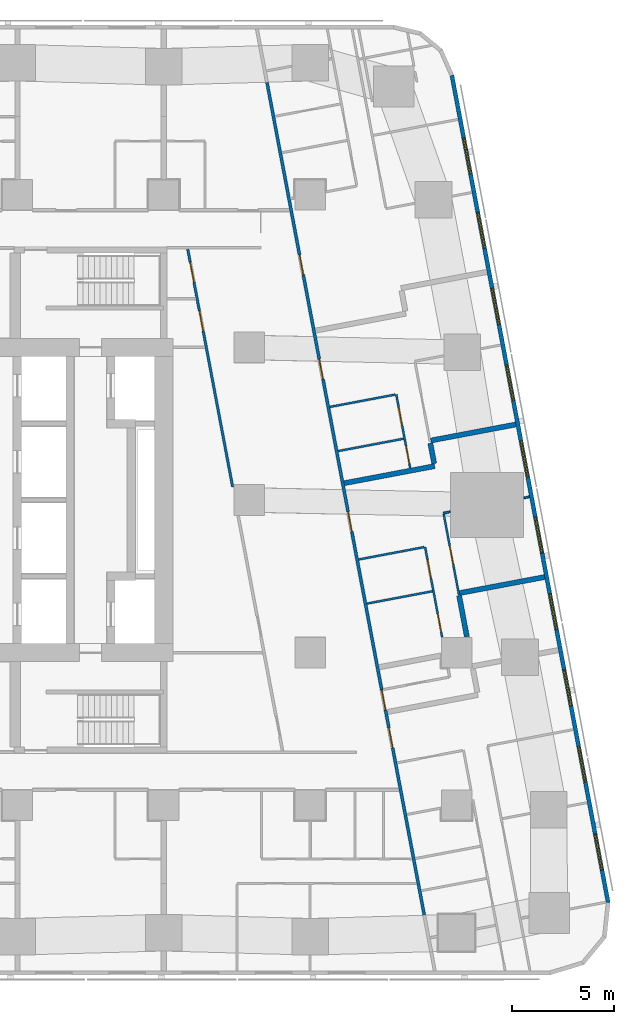
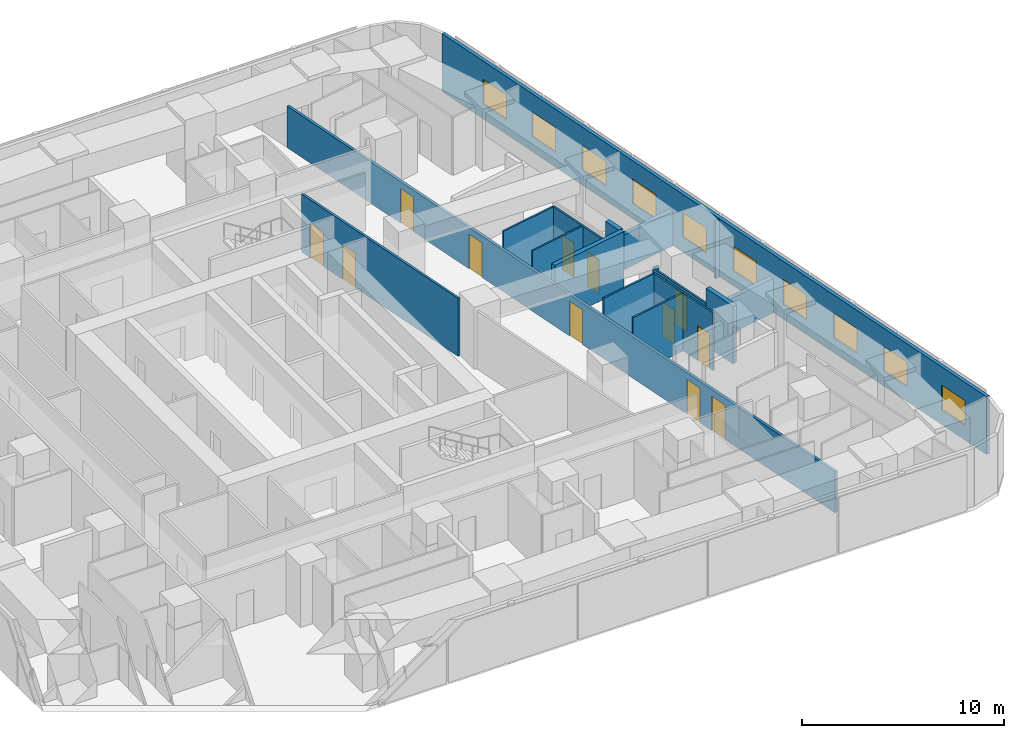
# One storey, part 7 of 15: 17 walls, 12 doors, 10 windows, 22 openings.
"""IFC4 building model written with IfcOpenShell, lengths in metres."""

from ifc_helpers import new_model, si_unit, direction, frame, frame_2d, origin, place, context, subcontext, project, spatial, rectangle, extrude, material, layer, layer_set, type_object, element, fill, save


model = new_model("IFC4")

# Units and contexts
model_context = context("Model", 3, precision=1e-05, world=origin(), true_north=direction((0.0, 1.0)))
body_context = subcontext(model_context, "Body", "Model", "MODEL_VIEW")
ifc_project = project(units=[si_unit("LENGTHUNIT", "METRE"), si_unit("AREAUNIT", "SQUARE_METRE"), si_unit("VOLUMEUNIT", "CUBIC_METRE"), si_unit("PLANEANGLEUNIT", "RADIAN"), si_unit("MASSUNIT", "GRAM", prefix="KILO")], contexts=[model_context])

# Site, building, storey
site_placement = place(None, origin())
site = spatial("IfcSite", under=ifc_project, at=site_placement, CompositionType="ELEMENT")
building_placement = place(site_placement, origin())
building = spatial("IfcBuilding", under=site, at=building_placement, Name="Sheger Commons Tower", CompositionType="ELEMENT")
storey_placement = place(building_placement, frame((0.0, 0.0, 169.550048828125)))
storey = spatial("IfcBuildingStorey", under=building, at=storey_placement, Name="L43", CompositionType="ELEMENT", Elevation=169.550048828125)

# Wall, openings, doors
ifc_material_1 = material(Name="Hollow concrete block masonry, skimmed both sides", Category="masonry")
ifc_layer_1 = layer(ifc_material_1, 0.14990234375)
ifc_layer_set_1 = layer_set([ifc_layer_1], Name="CORRIDOR WALL 150")
wall_type_1 = type_object("IfcWallType", Name="CORRIDOR WALL 150", PredefinedType="SOLIDWALL", material=ifc_layer_set_1)
wall_1_placement = place(storey_placement, frame((33.876953125, 43.029052734375, 0.0), z_axis=(0.0, 0.0, 1.0), x_axis=(0.185596841028, -0.98262597798, 0.0)))
wall_1 = element("IfcWall", 1, at=wall_1_placement, inside=storey, type_object=wall_type_1, Name="Corridor wall L43", PredefinedType="SOLIDWALL", context=body_context, shape_type="SweptSolid", body=[
    extrude(rectangle(XDim=41.659912109375, YDim=0.14990234375, at=frame_2d((20.830078125, 0.0))), origin(), (0.0, 0.0, 1.0), 2.5),
])
opening_1_placement = place(wall_1_placement, frame((8.6298828125, 0.0, 0.0)))
opening_1 = element("IfcOpeningElement", 2, at=opening_1_placement, cuts=wall_1, Name="Opening D1", PredefinedType="OPENING", context=body_context, shape_type="SweptSolid", body=[
    extrude(rectangle(XDim=1.0, YDim=2.10009765625, at=frame_2d((0.5, 1.050048828125))), frame((0.0, 0.0849609375, 0.0), z_axis=(0.0, -1.0, 0.0), x_axis=(1.0, 0.0, 0.0)), (0.0, 0.0, 1.0), 0.169921875),
])
opening_2_placement = place(wall_1_placement, frame((13.841064453125, 0.0, 0.0)))
opening_2 = element("IfcOpeningElement", 3, at=opening_2_placement, cuts=wall_1, Name="Opening D1", PredefinedType="OPENING", context=body_context, shape_type="SweptSolid", body=[
    extrude(rectangle(XDim=1.0, YDim=2.10009765625, at=frame_2d((0.5, 1.050048828125))), frame((0.0, 0.0849609375, 0.0), z_axis=(0.0, -1.0, 0.0), x_axis=(1.0, 0.0, 0.0)), (0.0, 0.0, 1.0), 0.169921875),
])
opening_3_placement = place(wall_1_placement, frame((21.47412109375, 0.0, 0.0)))
opening_3 = element("IfcOpeningElement", 4, at=opening_3_placement, cuts=wall_1, Name="Opening D1", PredefinedType="OPENING", context=body_context, shape_type="SweptSolid", body=[
    extrude(rectangle(XDim=1.0, YDim=2.10009765625, at=frame_2d((0.5, 1.050048828125))), frame((0.0, 0.0849609375, 0.0), z_axis=(0.0, -1.0, 0.0), x_axis=(1.0, 0.0, 0.0)), (0.0, 0.0, 1.0), 0.169921875),
])
opening_4_placement = place(wall_1_placement, frame((30.39990234375, 0.0, 0.0)))
opening_4 = element("IfcOpeningElement", 5, at=opening_4_placement, cuts=wall_1, Name="Opening D1", PredefinedType="OPENING", context=body_context, shape_type="SweptSolid", body=[
    extrude(rectangle(XDim=1.0, YDim=2.10009765625, at=frame_2d((0.5, 1.050048828125))), frame((0.0, 0.0849609375, 0.0), z_axis=(0.0, -1.0, 0.0), x_axis=(1.0, 0.0, 0.0)), (0.0, 0.0, 1.0), 0.169921875),
])
opening_5_placement = place(wall_1_placement, frame((32.2880859375, 0.0, 0.0)))
opening_5 = element("IfcOpeningElement", 6, at=opening_5_placement, cuts=wall_1, Name="Opening D1", PredefinedType="OPENING", context=body_context, shape_type="SweptSolid", body=[
    extrude(rectangle(XDim=1.0, YDim=2.10009765625, at=frame_2d((0.5, 1.050048828125))), frame((0.0, 0.0849609375, 0.0), z_axis=(0.0, -1.0, 0.0), x_axis=(1.0, 0.0, 0.0)), (0.0, 0.0, 1.0), 0.169921875),
])
ifc_material_2 = material(Name="Steel door set, fire rated", Category="steel")
door_type_1 = type_object("IfcDoorType", Name="FLAT ENTRANCE DOOR 1000x2100", OperationType="NOTDEFINED", PredefinedType="DOOR", material=ifc_material_2)
door_1_placement = place(opening_1_placement, origin())
door_1 = element("IfcDoor", 7, at=door_1_placement, inside=storey, type_object=door_type_1, Name="Flat entrance door", OperationType="SINGLE_SWING_RIGHT", OverallHeight=2.10009765625, OverallWidth=1.0, PredefinedType="DOOR", context=body_context, shape_type="SweptSolid", body=[
    extrude(rectangle(XDim=1.0, YDim=2.10009765625, at=frame_2d((0.5, 1.050048828125))), frame((0.0, 0.02490234375, 0.0), z_axis=(0.0, -1.0, 0.0), x_axis=(1.0, 0.0, 0.0)), (0.0, 0.0, 1.0), 0.050048828125),
])
fill(opening_1, door_1)
door_2_placement = place(opening_2_placement, origin())
door_2 = element("IfcDoor", 8, at=door_2_placement, inside=storey, type_object=door_type_1, Name="Flat entrance door", OperationType="SINGLE_SWING_RIGHT", OverallHeight=2.10009765625, OverallWidth=1.0, PredefinedType="DOOR", context=body_context, shape_type="SweptSolid", body=[
    extrude(rectangle(XDim=1.0, YDim=2.10009765625, at=frame_2d((0.5, 1.050048828125))), frame((0.0, 0.02490234375, 0.0), z_axis=(0.0, -1.0, 0.0), x_axis=(1.0, 0.0, 0.0)), (0.0, 0.0, 1.0), 0.050048828125),
])
fill(opening_2, door_2)
door_3_placement = place(opening_3_placement, origin())
door_3 = element("IfcDoor", 9, at=door_3_placement, inside=storey, type_object=door_type_1, Name="Flat entrance door", OperationType="SINGLE_SWING_RIGHT", OverallHeight=2.10009765625, OverallWidth=1.0, PredefinedType="DOOR", context=body_context, shape_type="SweptSolid", body=[
    extrude(rectangle(XDim=1.0, YDim=2.10009765625, at=frame_2d((0.5, 1.050048828125))), frame((0.0, 0.02490234375, 0.0), z_axis=(0.0, -1.0, 0.0), x_axis=(1.0, 0.0, 0.0)), (0.0, 0.0, 1.0), 0.050048828125),
])
fill(opening_3, door_3)
door_4_placement = place(opening_4_placement, origin())
door_4 = element("IfcDoor", 10, at=door_4_placement, inside=storey, type_object=door_type_1, Name="Flat entrance door", OperationType="SINGLE_SWING_LEFT", OverallHeight=2.10009765625, OverallWidth=1.0, PredefinedType="DOOR", context=body_context, shape_type="SweptSolid", body=[
    extrude(rectangle(XDim=1.0, YDim=2.10009765625, at=frame_2d((0.5, 1.050048828125))), frame((0.0, 0.02490234375, 0.0), z_axis=(0.0, -1.0, 0.0), x_axis=(1.0, 0.0, 0.0)), (0.0, 0.0, 1.0), 0.050048828125),
])
fill(opening_4, door_4)
door_5_placement = place(opening_5_placement, origin())
door_5 = element("IfcDoor", 11, at=door_5_placement, inside=storey, type_object=door_type_1, Name="Flat entrance door", OperationType="SINGLE_SWING_RIGHT", OverallHeight=2.10009765625, OverallWidth=1.0, PredefinedType="DOOR", context=body_context, shape_type="SweptSolid", body=[
    extrude(rectangle(XDim=1.0, YDim=2.10009765625, at=frame_2d((0.5, 1.050048828125))), frame((0.0, 0.02490234375, 0.0), z_axis=(0.0, -1.0, 0.0), x_axis=(1.0, 0.0, 0.0)), (0.0, 0.0, 1.0), 0.050048828125),
])
fill(opening_5, door_5)

# Walls
ifc_material_3 = material(Name="Dense concrete block masonry, plastered both sides (separating wall between flats)", Category="masonry")
ifc_layer_2 = layer(ifc_material_3, 0.25)
ifc_layer_set_2 = layer_set([ifc_layer_2], Name="DEMISING WALL 250")
wall_type_2 = type_object("IfcWallType", Name="DEMISING WALL 250", PredefinedType="SOLIDWALL", material=ifc_layer_set_2)
wall_2_placement = place(storey_placement, frame((46.110107421875, 26.212890625, 0.0), z_axis=(0.0, 0.0, 1.0), x_axis=(-0.982623519589, -0.185609856287, 0.0)))
element("IfcWall", 12, at=wall_2_placement, inside=storey, type_object=wall_type_2, Name="Demising wall L43", PredefinedType="SOLIDWALL", context=body_context, shape_type="SweptSolid", body=[
    extrude(rectangle(XDim=4.249755859375, YDim=0.25, at=frame_2d((2.125, 0.0))), origin(), (0.0, 0.0, 1.0), 2.099853515625),
])
wall_3_placement = place(storey_placement, frame((42.12109375, 24.166015625, 0.0), z_axis=(0.0, 0.0, 1.0), x_axis=(-0.982612837616, -0.185666398014, 0.0)))
element("IfcWall", 13, at=wall_3_placement, inside=storey, type_object=wall_type_2, Name="Demising wall L43", PredefinedType="SOLIDWALL", context=body_context, shape_type="SweptSolid", body=[
    extrude(rectangle(XDim=4.524658203125, YDim=0.25, at=frame_2d((2.26220703125, 0.0))), origin(), (0.0, 0.0, 1.0), 3.5),
])
wall_4_placement = place(storey_placement, frame((41.907958984375, 25.2919921875, 0.0), z_axis=(0.0, 0.0, 1.0), x_axis=(0.18607888991, -0.982534806879, 0.0)))
element("IfcWall", 14, at=wall_4_placement, inside=storey, type_object=wall_type_2, Name="Demising wall L43", PredefinedType="SOLIDWALL", context=body_context, shape_type="SweptSolid", body=[
    extrude(rectangle(XDim=1.020751953125, YDim=0.25, at=frame_2d((0.51025390625, 0.0))), origin(), (0.0, 0.0, 1.0), 3.5),
])
wall_5_placement = place(storey_placement, frame((47.527099609375, 18.7119140625, 0.0), z_axis=(0.0, 0.0, 1.0), x_axis=(-0.982665405803, -0.185387972203, 0.0)))
element("IfcWall", 15, at=wall_5_placement, inside=storey, type_object=wall_type_2, Name="Demising wall L43", PredefinedType="SOLIDWALL", context=body_context, shape_type="SweptSolid", body=[
    extrude(rectangle(XDim=4.249755859375, YDim=0.25, at=frame_2d((2.125, 0.0))), origin(), (0.0, 0.0, 1.0), 2.099853515625),
])
wall_6_placement = place(storey_placement, frame((43.324951171875, 17.7919921875, 0.0), z_axis=(0.0, 0.0, 1.0), x_axis=(0.185565963553, -0.982631809566, 0.0)))
element("IfcWall", 16, at=wall_6_placement, inside=storey, type_object=wall_type_2, Name="Demising wall L43", PredefinedType="SOLIDWALL", context=body_context, shape_type="SweptSolid", body=[
    extrude(rectangle(XDim=2.0537109375, YDim=0.25, at=frame_2d((1.02685546875, 0.0))), origin(), (0.0, 0.0, 1.0), 3.5),
])

# Wall, openings, windows
ifc_material_4 = material(Name="Rendered concrete block masonry, dark grey", Category="masonry")
ifc_layer_3 = layer(ifc_material_4, 0.199951171875)
ifc_layer_set_3 = layer_set([ifc_layer_3], Name="FACADE WALL 200")
wall_type_3 = type_object("IfcWallType", Name="FACADE WALL 200", PredefinedType="SOLIDWALL", material=ifc_layer_set_3)
wall_7_placement = place(storey_placement, frame((50.653076171875, 2.702880859375, 0.0), z_axis=(0.0, 0.0, 1.0), x_axis=(-0.185612026696, 0.982623109613, 0.0)))
wall_7 = element("IfcWall", 17, at=wall_7_placement, inside=storey, type_object=wall_type_3, Name="Facade wall L43", PredefinedType="SOLIDWALL", context=body_context, shape_type="SweptSolid", body=[
    extrude(rectangle(XDim=41.393310546875, YDim=0.199951171875, at=frame_2d((20.69677734375, 0.0))), origin(), (0.0, 0.0, 1.0), 3.5),
])
opening_6_placement = place(wall_7_placement, frame((1.633056640625, 0.0, 0.89990234375)))
opening_6 = element("IfcOpeningElement", 18, at=opening_6_placement, cuts=wall_7, Name="Opening W2", PredefinedType="OPENING", context=body_context, shape_type="SweptSolid", body=[
    extrude(rectangle(XDim=1.800048828125, YDim=1.5, at=frame_2d((0.89990234375, 0.75))), frame((0.0, 0.10986328125, 0.0), z_axis=(0.0, -1.0, 0.0), x_axis=(1.0, 0.0, 0.0)), (0.0, 0.0, 1.0), 0.219970703125),
])
opening_7_placement = place(wall_7_placement, frame((6.031982421875, 0.0, 0.89990234375)))
opening_7 = element("IfcOpeningElement", 19, at=opening_7_placement, cuts=wall_7, Name="Opening W2", PredefinedType="OPENING", context=body_context, shape_type="SweptSolid", body=[
    extrude(rectangle(XDim=1.800048828125, YDim=1.5, at=frame_2d((0.89990234375, 0.75))), frame((0.0, 0.10986328125, 0.0), z_axis=(0.0, -1.0, 0.0), x_axis=(1.0, 0.0, 0.0)), (0.0, 0.0, 1.0), 0.219970703125),
])
opening_8_placement = place(wall_7_placement, frame((9.847900390625, 0.0, 0.89990234375)))
opening_8 = element("IfcOpeningElement", 20, at=opening_8_placement, cuts=wall_7, Name="Opening W2", PredefinedType="OPENING", context=body_context, shape_type="SweptSolid", body=[
    extrude(rectangle(XDim=1.800048828125, YDim=1.5, at=frame_2d((0.89990234375, 0.75))), frame((0.0, 0.10986328125, 0.0), z_axis=(0.0, -1.0, 0.0), x_axis=(1.0, 0.0, 0.0)), (0.0, 0.0, 1.0), 0.219970703125),
])
opening_9_placement = place(wall_7_placement, frame((13.6640625, 0.0, 0.89990234375)))
opening_9 = element("IfcOpeningElement", 21, at=opening_9_placement, cuts=wall_7, Name="Opening W2", PredefinedType="OPENING", context=body_context, shape_type="SweptSolid", body=[
    extrude(rectangle(XDim=1.800048828125, YDim=1.5, at=frame_2d((0.89990234375, 0.75))), frame((0.0, 0.10986328125, 0.0), z_axis=(0.0, -1.0, 0.0), x_axis=(1.0, 0.0, 0.0)), (0.0, 0.0, 1.0), 0.219970703125),
])
opening_10_placement = place(wall_7_placement, frame((17.48095703125, 0.0, 0.89990234375)))
opening_10 = element("IfcOpeningElement", 22, at=opening_10_placement, cuts=wall_7, Name="Opening W2", PredefinedType="OPENING", context=body_context, shape_type="SweptSolid", body=[
    extrude(rectangle(XDim=1.800048828125, YDim=1.5, at=frame_2d((0.89990234375, 0.75))), frame((0.0, 0.10986328125, 0.0), z_axis=(0.0, -1.0, 0.0), x_axis=(1.0, 0.0, 0.0)), (0.0, 0.0, 1.0), 0.219970703125),
])
opening_11_placement = place(wall_7_placement, frame((21.297119140625, 0.0, 0.89990234375)))
opening_11 = element("IfcOpeningElement", 23, at=opening_11_placement, cuts=wall_7, Name="Opening W2", PredefinedType="OPENING", context=body_context, shape_type="SweptSolid", body=[
    extrude(rectangle(XDim=1.800048828125, YDim=1.5, at=frame_2d((0.89990234375, 0.75))), frame((0.0, 0.10986328125, 0.0), z_axis=(0.0, -1.0, 0.0), x_axis=(1.0, 0.0, 0.0)), (0.0, 0.0, 1.0), 0.219970703125),
])
opening_12_placement = place(wall_7_placement, frame((25.113037109375, 0.0, 0.89990234375)))
opening_12 = element("IfcOpeningElement", 24, at=opening_12_placement, cuts=wall_7, Name="Opening W2", PredefinedType="OPENING", context=body_context, shape_type="SweptSolid", body=[
    extrude(rectangle(XDim=1.800048828125, YDim=1.5, at=frame_2d((0.89990234375, 0.75))), frame((0.0, 0.10986328125, 0.0), z_axis=(0.0, -1.0, 0.0), x_axis=(1.0, 0.0, 0.0)), (0.0, 0.0, 1.0), 0.219970703125),
])
opening_13_placement = place(wall_7_placement, frame((28.929931640625, 0.0, 0.89990234375)))
opening_13 = element("IfcOpeningElement", 25, at=opening_13_placement, cuts=wall_7, Name="Opening W2", PredefinedType="OPENING", context=body_context, shape_type="SweptSolid", body=[
    extrude(rectangle(XDim=1.800048828125, YDim=1.5, at=frame_2d((0.89990234375, 0.75))), frame((0.0, 0.10986328125, 0.0), z_axis=(0.0, -1.0, 0.0), x_axis=(1.0, 0.0, 0.0)), (0.0, 0.0, 1.0), 0.219970703125),
])
opening_14_placement = place(wall_7_placement, frame((32.74609375, 0.0, 0.89990234375)))
opening_14 = element("IfcOpeningElement", 26, at=opening_14_placement, cuts=wall_7, Name="Opening W2", PredefinedType="OPENING", context=body_context, shape_type="SweptSolid", body=[
    extrude(rectangle(XDim=1.800048828125, YDim=1.5, at=frame_2d((0.89990234375, 0.75))), frame((0.0, 0.10986328125, 0.0), z_axis=(0.0, -1.0, 0.0), x_axis=(1.0, 0.0, 0.0)), (0.0, 0.0, 1.0), 0.219970703125),
])
opening_15_placement = place(wall_7_placement, frame((36.48095703125, 0.0, 0.89990234375)))
opening_15 = element("IfcOpeningElement", 27, at=opening_15_placement, cuts=wall_7, Name="Opening W2", PredefinedType="OPENING", context=body_context, shape_type="SweptSolid", body=[
    extrude(rectangle(XDim=1.800048828125, YDim=1.5, at=frame_2d((0.89990234375, 0.75))), frame((0.0, 0.10986328125, 0.0), z_axis=(0.0, -1.0, 0.0), x_axis=(1.0, 0.0, 0.0)), (0.0, 0.0, 1.0), 0.219970703125),
])
ifc_material_5 = material(Name="Black aluminium frame, dark tinted double glazing", Category="aluminium")
window_type = type_object("IfcWindowType", Name="WINDOW W2 1800x1500", PartitioningType="SINGLE_PANEL", PredefinedType="WINDOW", material=ifc_material_5)
window_1_placement = place(opening_6_placement, origin())
window_1 = element("IfcWindow", 28, at=window_1_placement, inside=storey, type_object=window_type, Name="Window W2 1800X1500", OverallHeight=1.5, OverallWidth=1.800048828125, PartitioningType="SINGLE_PANEL", PredefinedType="WINDOW", context=body_context, shape_type="SweptSolid", body=[
    extrude(rectangle(XDim=1.800048828125, YDim=1.5, at=frame_2d((0.89990234375, 0.75))), frame((0.0, 0.030029296875, 0.0), z_axis=(0.0, -1.0, 0.0), x_axis=(1.0, 0.0, 0.0)), (0.0, 0.0, 1.0), 0.06005859375),
])
fill(opening_6, window_1)
window_2_placement = place(opening_7_placement, origin())
window_2 = element("IfcWindow", 29, at=window_2_placement, inside=storey, type_object=window_type, Name="Window W2 1800X1500", OverallHeight=1.5, OverallWidth=1.800048828125, PartitioningType="SINGLE_PANEL", PredefinedType="WINDOW", context=body_context, shape_type="SweptSolid", body=[
    extrude(rectangle(XDim=1.800048828125, YDim=1.5, at=frame_2d((0.89990234375, 0.75))), frame((0.0, 0.030029296875, 0.0), z_axis=(0.0, -1.0, 0.0), x_axis=(1.0, 0.0, 0.0)), (0.0, 0.0, 1.0), 0.06005859375),
])
fill(opening_7, window_2)
window_3_placement = place(opening_8_placement, origin())
window_3 = element("IfcWindow", 30, at=window_3_placement, inside=storey, type_object=window_type, Name="Window W2 1800X1500", OverallHeight=1.5, OverallWidth=1.800048828125, PartitioningType="SINGLE_PANEL", PredefinedType="WINDOW", context=body_context, shape_type="SweptSolid", body=[
    extrude(rectangle(XDim=1.800048828125, YDim=1.5, at=frame_2d((0.89990234375, 0.75))), frame((0.0, 0.030029296875, 0.0), z_axis=(0.0, -1.0, 0.0), x_axis=(1.0, 0.0, 0.0)), (0.0, 0.0, 1.0), 0.06005859375),
])
fill(opening_8, window_3)
window_4_placement = place(opening_9_placement, origin())
window_4 = element("IfcWindow", 31, at=window_4_placement, inside=storey, type_object=window_type, Name="Window W2 1800X1500", OverallHeight=1.5, OverallWidth=1.800048828125, PartitioningType="SINGLE_PANEL", PredefinedType="WINDOW", context=body_context, shape_type="SweptSolid", body=[
    extrude(rectangle(XDim=1.800048828125, YDim=1.5, at=frame_2d((0.89990234375, 0.75))), frame((0.0, 0.030029296875, 0.0), z_axis=(0.0, -1.0, 0.0), x_axis=(1.0, 0.0, 0.0)), (0.0, 0.0, 1.0), 0.06005859375),
])
fill(opening_9, window_4)
window_5_placement = place(opening_10_placement, origin())
window_5 = element("IfcWindow", 32, at=window_5_placement, inside=storey, type_object=window_type, Name="Window W2 1800X1500", OverallHeight=1.5, OverallWidth=1.800048828125, PartitioningType="SINGLE_PANEL", PredefinedType="WINDOW", context=body_context, shape_type="SweptSolid", body=[
    extrude(rectangle(XDim=1.800048828125, YDim=1.5, at=frame_2d((0.89990234375, 0.75))), frame((0.0, 0.030029296875, 0.0), z_axis=(0.0, -1.0, 0.0), x_axis=(1.0, 0.0, 0.0)), (0.0, 0.0, 1.0), 0.06005859375),
])
fill(opening_10, window_5)
window_6_placement = place(opening_11_placement, origin())
window_6 = element("IfcWindow", 33, at=window_6_placement, inside=storey, type_object=window_type, Name="Window W2 1800X1500", OverallHeight=1.5, OverallWidth=1.800048828125, PartitioningType="SINGLE_PANEL", PredefinedType="WINDOW", context=body_context, shape_type="SweptSolid", body=[
    extrude(rectangle(XDim=1.800048828125, YDim=1.5, at=frame_2d((0.89990234375, 0.75))), frame((0.0, 0.030029296875, 0.0), z_axis=(0.0, -1.0, 0.0), x_axis=(1.0, 0.0, 0.0)), (0.0, 0.0, 1.0), 0.06005859375),
])
fill(opening_11, window_6)
window_7_placement = place(opening_12_placement, origin())
window_7 = element("IfcWindow", 34, at=window_7_placement, inside=storey, type_object=window_type, Name="Window W2 1800X1500", OverallHeight=1.5, OverallWidth=1.800048828125, PartitioningType="SINGLE_PANEL", PredefinedType="WINDOW", context=body_context, shape_type="SweptSolid", body=[
    extrude(rectangle(XDim=1.800048828125, YDim=1.5, at=frame_2d((0.89990234375, 0.75))), frame((0.0, 0.030029296875, 0.0), z_axis=(0.0, -1.0, 0.0), x_axis=(1.0, 0.0, 0.0)), (0.0, 0.0, 1.0), 0.06005859375),
])
fill(opening_12, window_7)
window_8_placement = place(opening_13_placement, origin())
window_8 = element("IfcWindow", 35, at=window_8_placement, inside=storey, type_object=window_type, Name="Window W2 1800X1500", OverallHeight=1.5, OverallWidth=1.800048828125, PartitioningType="SINGLE_PANEL", PredefinedType="WINDOW", context=body_context, shape_type="SweptSolid", body=[
    extrude(rectangle(XDim=1.800048828125, YDim=1.5, at=frame_2d((0.89990234375, 0.75))), frame((0.0, 0.030029296875, 0.0), z_axis=(0.0, -1.0, 0.0), x_axis=(1.0, 0.0, 0.0)), (0.0, 0.0, 1.0), 0.06005859375),
])
fill(opening_13, window_8)
window_9_placement = place(opening_14_placement, origin())
window_9 = element("IfcWindow", 36, at=window_9_placement, inside=storey, type_object=window_type, Name="Window W2 1800X1500", OverallHeight=1.5, OverallWidth=1.800048828125, PartitioningType="SINGLE_PANEL", PredefinedType="WINDOW", context=body_context, shape_type="SweptSolid", body=[
    extrude(rectangle(XDim=1.800048828125, YDim=1.5, at=frame_2d((0.89990234375, 0.75))), frame((0.0, 0.030029296875, 0.0), z_axis=(0.0, -1.0, 0.0), x_axis=(1.0, 0.0, 0.0)), (0.0, 0.0, 1.0), 0.06005859375),
])
fill(opening_14, window_9)
window_10_placement = place(opening_15_placement, origin())
window_10 = element("IfcWindow", 37, at=window_10_placement, inside=storey, type_object=window_type, Name="Window W2 1800X1500", OverallHeight=1.5, OverallWidth=1.800048828125, PartitioningType="SINGLE_PANEL", PredefinedType="WINDOW", context=body_context, shape_type="SweptSolid", body=[
    extrude(rectangle(XDim=1.800048828125, YDim=1.5, at=frame_2d((0.89990234375, 0.75))), frame((0.0, 0.030029296875, 0.0), z_axis=(0.0, -1.0, 0.0), x_axis=(1.0, 0.0, 0.0)), (0.0, 0.0, 1.0), 0.06005859375),
])
fill(opening_15, window_10)

# Wall, openings, doors
ifc_material_6 = material(Name="Gypsum board on steel studs", Category="steel")
ifc_layer_4 = layer(ifc_material_6, 0.10009765625)
ifc_layer_set_4 = layer_set([ifc_layer_4], Name="PARTITION 100")
wall_type_4 = type_object("IfcWallType", Name="PARTITION 100", PredefinedType="PARTITIONING", material=ifc_layer_set_4)
wall_8_placement = place(storey_placement, frame((40.23291015625, 27.693115234375, 0.0), z_axis=(0.0, 0.0, 1.0), x_axis=(0.185632361754, -0.982619268216, 0.0)))
wall_8 = element("IfcWall", 38, at=wall_8_placement, inside=storey, type_object=wall_type_4, Name="Partition L43", PredefinedType="PARTITIONING", context=body_context, shape_type="SweptSolid", body=[
    extrude(rectangle(XDim=3.68505859375, YDim=0.10009765625, at=frame_2d((1.842529296875, 0.0))), origin(), (0.0, 0.0, 1.0), 3.5),
])
opening_16_placement = place(wall_8_placement, frame((0.655029296875, 0.0, 0.0)))
opening_16 = element("IfcOpeningElement", 39, at=opening_16_placement, cuts=wall_8, Name="Opening D2", PredefinedType="OPENING", context=body_context, shape_type="SweptSolid", body=[
    extrude(rectangle(XDim=0.89990234375, YDim=2.10009765625, at=frame_2d((0.449951171875, 1.050048828125))), frame((0.0, 0.06005859375, 0.0), z_axis=(0.0, -1.0, 0.0), x_axis=(1.0, 0.0, 0.0)), (0.0, 0.0, 1.0), 0.1201171875),
])
opening_17_placement = place(wall_8_placement, frame((2.56298828125, 0.0, 0.0)))
opening_17 = element("IfcOpeningElement", 40, at=opening_17_placement, cuts=wall_8, Name="Opening D2", PredefinedType="OPENING", context=body_context, shape_type="SweptSolid", body=[
    extrude(rectangle(XDim=0.89990234375, YDim=2.10009765625, at=frame_2d((0.449951171875, 1.050048828125))), frame((0.0, 0.06005859375, 0.0), z_axis=(0.0, -1.0, 0.0), x_axis=(1.0, 0.0, 0.0)), (0.0, 0.0, 1.0), 0.1201171875),
])
ifc_material_7 = material(Name="Timber door set", Category="wood")
door_type_2 = type_object("IfcDoorType", Name="INTERNAL DOOR 900x2100", OperationType="NOTDEFINED", PredefinedType="DOOR", material=ifc_material_7)
door_6_placement = place(opening_16_placement, origin())
door_6 = element("IfcDoor", 41, at=door_6_placement, inside=storey, type_object=door_type_2, Name="Bathroom door", OperationType="SINGLE_SWING_RIGHT", OverallHeight=2.10009765625, OverallWidth=0.89990234375, PredefinedType="DOOR", context=body_context, shape_type="SweptSolid", body=[
    extrude(rectangle(XDim=0.89990234375, YDim=2.10009765625, at=frame_2d((0.449951171875, 1.050048828125))), frame((0.0, 0.02490234375, 0.0), z_axis=(0.0, -1.0, 0.0), x_axis=(1.0, 0.0, 0.0)), (0.0, 0.0, 1.0), 0.050048828125),
])
fill(opening_16, door_6)
door_7_placement = place(opening_17_placement, origin())
door_7 = element("IfcDoor", 42, at=door_7_placement, inside=storey, type_object=door_type_2, Name="Store door", OperationType="SINGLE_SWING_LEFT", OverallHeight=2.10009765625, OverallWidth=0.89990234375, PredefinedType="DOOR", context=body_context, shape_type="SweptSolid", body=[
    extrude(rectangle(XDim=0.89990234375, YDim=2.10009765625, at=frame_2d((0.449951171875, 1.050048828125))), frame((0.0, 0.02490234375, 0.0), z_axis=(0.0, -1.0, 0.0), x_axis=(1.0, 0.0, 0.0)), (0.0, 0.0, 1.0), 0.050048828125),
])
fill(opening_17, door_7)

# Walls
for number, where, z_axis, x_axis, name in (
    (43, (40.18408203125, 27.68408203125, 0.0), (0.0, 0.0, 1.0), (-0.982596739811, -0.18575157311, 0.0), "Partition L43"),
    (44, (40.593994140625, 25.511962890625, 0.0), (0.0, 0.0, 1.0), (-0.982610347627, -0.185679575441, 0.0), "Partition L43"),
):
    element("IfcWall", number, at=place(storey_placement, frame(where, z_axis=z_axis, x_axis=x_axis)), inside=storey, type_object=wall_type_4, Name=name, PredefinedType="PARTITIONING", context=body_context, shape_type="SweptSolid", body=[
        extrude(rectangle(XDim=3.27392578125, YDim=0.10009765625, at=frame_2d((1.636962890625, 0.0))), origin(), (0.0, 0.0, 1.0), 3.5),
    ])

# Wall, opening, door
wall_9_placement = place(storey_placement, frame((42.56494140625, 21.80908203125, 0.0), z_axis=(0.0, 0.0, 1.0), x_axis=(0.185910488551, -0.982566684885, 0.0)))
wall_9 = element("IfcWall", 45, at=wall_9_placement, inside=storey, type_object=wall_type_4, Name="Partition L43", PredefinedType="PARTITIONING", context=body_context, shape_type="SweptSolid", body=[
    extrude(rectangle(XDim=4.061767578125, YDim=0.10009765625, at=frame_2d((2.03076171875, 0.0))), origin(), (0.0, 0.0, 1.0), 2.5),
])
opening_18_placement = place(wall_9_placement, frame((1.617919921875, 0.0, 0.0)))
opening_18 = element("IfcOpeningElement", 46, at=opening_18_placement, cuts=wall_9, Name="Opening D2", PredefinedType="OPENING", context=body_context, shape_type="SweptSolid", body=[
    extrude(rectangle(XDim=0.89990234375, YDim=2.10009765625, at=frame_2d((0.449951171875, 1.050048828125))), frame((0.0, 0.06005859375, 0.0), z_axis=(0.0, -1.0, 0.0), x_axis=(1.0, 0.0, 0.0)), (0.0, 0.0, 1.0), 0.1201171875),
])
door_8_placement = place(opening_18_placement, origin())
door_8 = element("IfcDoor", 47, at=door_8_placement, inside=storey, type_object=door_type_2, Name="Main bedroom door", OperationType="SINGLE_SWING_RIGHT", OverallHeight=2.10009765625, OverallWidth=0.89990234375, PredefinedType="DOOR", context=body_context, shape_type="SweptSolid", body=[
    extrude(rectangle(XDim=0.89990234375, YDim=2.10009765625, at=frame_2d((0.449951171875, 1.050048828125))), frame((0.0, 0.02490234375, 0.0), z_axis=(0.0, -1.0, 0.0), x_axis=(1.0, 0.0, 0.0)), (0.0, 0.0, 1.0), 0.050048828125),
])
fill(opening_18, door_8)

# Wall, openings, doors
wall_10_placement = place(storey_placement, frame((41.64990234375, 20.193115234375, 0.0), z_axis=(0.0, 0.0, 1.0), x_axis=(0.185692658583, -0.982607875273, 0.0)))
wall_10 = element("IfcWall", 48, at=wall_10_placement, inside=storey, type_object=wall_type_4, Name="Partition L43", PredefinedType="PARTITIONING", context=body_context, shape_type="SweptSolid", body=[
    extrude(rectangle(XDim=4.513671875, YDim=0.10009765625, at=frame_2d((2.2568359375, 0.0))), origin(), (0.0, 0.0, 1.0), 3.5),
])
opening_19_placement = place(wall_10_placement, frame((0.655029296875, 0.0, 0.0)))
opening_19 = element("IfcOpeningElement", 49, at=opening_19_placement, cuts=wall_10, Name="Opening D2", PredefinedType="OPENING", context=body_context, shape_type="SweptSolid", body=[
    extrude(rectangle(XDim=0.89990234375, YDim=2.10009765625, at=frame_2d((0.449951171875, 1.050048828125))), frame((0.0, 0.06005859375, 0.0), z_axis=(0.0, -1.0, 0.0), x_axis=(1.0, 0.0, 0.0)), (0.0, 0.0, 1.0), 0.1201171875),
])
opening_20_placement = place(wall_10_placement, frame((3.35009765625, 0.0, 0.0)))
opening_20 = element("IfcOpeningElement", 50, at=opening_20_placement, cuts=wall_10, Name="Opening D2", PredefinedType="OPENING", context=body_context, shape_type="SweptSolid", body=[
    extrude(rectangle(XDim=0.89990234375, YDim=2.10009765625, at=frame_2d((0.449951171875, 1.050048828125))), frame((0.0, 0.06005859375, 0.0), z_axis=(0.0, -1.0, 0.0), x_axis=(1.0, 0.0, 0.0)), (0.0, 0.0, 1.0), 0.1201171875),
])
door_9_placement = place(opening_19_placement, origin())
door_9 = element("IfcDoor", 51, at=door_9_placement, inside=storey, type_object=door_type_2, Name="Bathroom door", OperationType="SINGLE_SWING_RIGHT", OverallHeight=2.10009765625, OverallWidth=0.89990234375, PredefinedType="DOOR", context=body_context, shape_type="SweptSolid", body=[
    extrude(rectangle(XDim=0.89990234375, YDim=2.10009765625, at=frame_2d((0.449951171875, 1.050048828125))), frame((0.0, 0.02490234375, 0.0), z_axis=(0.0, -1.0, 0.0), x_axis=(1.0, 0.0, 0.0)), (0.0, 0.0, 1.0), 0.050048828125),
])
fill(opening_19, door_9)
door_10_placement = place(opening_20_placement, origin())
door_10 = element("IfcDoor", 52, at=door_10_placement, inside=storey, type_object=door_type_2, Name="Store door", OperationType="SINGLE_SWING_LEFT", OverallHeight=2.10009765625, OverallWidth=0.89990234375, PredefinedType="DOOR", context=body_context, shape_type="SweptSolid", body=[
    extrude(rectangle(XDim=0.89990234375, YDim=2.10009765625, at=frame_2d((0.449951171875, 1.050048828125))), frame((0.0, 0.02490234375, 0.0), z_axis=(0.0, -1.0, 0.0), x_axis=(1.0, 0.0, 0.0)), (0.0, 0.0, 1.0), 0.050048828125),
])
fill(opening_20, door_10)

# Walls
wall_11_placement = place(storey_placement, frame((46.781982421875, 22.656982421875, 0.0), z_axis=(0.0, 0.0, 1.0), x_axis=(-0.982574553168, -0.185868898601, 0.0)))
element("IfcWall", 53, at=wall_11_placement, inside=storey, type_object=wall_type_4, Name="Partition L43", PredefinedType="PARTITIONING", context=body_context, shape_type="SweptSolid", body=[
    extrude(rectangle(XDim=0.27978515625, YDim=0.10009765625, at=frame_2d((0.139892578125, 0.0))), origin(), (0.0, 0.0, 1.0), 3.5),
])
wall_12_placement = place(storey_placement, frame((42.886962890625, 21.9208984375, 0.0), z_axis=(0.0, 0.0, 1.0), x_axis=(-0.982274918032, -0.187445953293, 0.0)))
element("IfcWall", 54, at=wall_12_placement, inside=storey, type_object=wall_type_4, Name="Partition L43", PredefinedType="PARTITIONING", context=body_context, shape_type="SweptSolid", body=[
    extrude(rectangle(XDim=0.3359375, YDim=0.10009765625, at=frame_2d((0.16796875, 0.0))), origin(), (0.0, 0.0, 1.0), 2.5),
])
wall_13_placement = place(storey_placement, frame((41.60107421875, 20.18408203125, 0.0), z_axis=(0.0, 0.0, 1.0), x_axis=(-0.982607026909, -0.185697147715, 0.0)))
element("IfcWall", 55, at=wall_13_placement, inside=storey, type_object=wall_type_4, Name="Partition L43", PredefinedType="PARTITIONING", context=body_context, shape_type="SweptSolid", body=[
    extrude(rectangle(XDim=3.27490234375, YDim=0.10009765625, at=frame_2d((1.637451171875, 0.0))), origin(), (0.0, 0.0, 1.0), 3.5),
])
wall_14_placement = place(storey_placement, frame((42.010986328125, 18.011962890625, 0.0), z_axis=(0.0, 0.0, 1.0), x_axis=(-0.982674977865, -0.185337227447, 0.0)))
element("IfcWall", 56, at=wall_14_placement, inside=storey, type_object=wall_type_4, Name="Partition L43", PredefinedType="PARTITIONING", context=body_context, shape_type="SweptSolid", body=[
    extrude(rectangle(XDim=3.274658203125, YDim=0.10009765625, at=frame_2d((1.63720703125, 0.0))), origin(), (0.0, 0.0, 1.0), 3.5),
])

# Wall, openings, doors
ifc_material_8 = material(Name="Gypsum board on steel studs, two layers each side, fire rated", Category="steel")
ifc_layer_5 = layer(ifc_material_8, 0.125)
ifc_layer_set_5 = layer_set([ifc_layer_5], Name="SERVICE WALL 125")
wall_type_5 = type_object("IfcWallType", Name="SERVICE WALL 125", PredefinedType="PARTITIONING", material=ifc_layer_set_5)
wall_15_placement = place(storey_placement, frame((32.18798828125, 23.14111328125, 0.0), z_axis=(0.0, 0.0, 1.0), x_axis=(-0.185598625075, 0.98262564101, 0.0)))
wall_15 = element("IfcWall", 57, at=wall_15_placement, inside=storey, type_object=wall_type_5, Name="Service room wall L43", PredefinedType="PARTITIONING", context=body_context, shape_type="SweptSolid", body=[
    extrude(rectangle(XDim=11.891357421875, YDim=0.125, at=frame_2d((5.94580078125, 0.0))), origin(), (0.0, 0.0, 1.0), 3.5),
])
opening_21_placement = place(wall_15_placement, frame((7.802978515625, 0.0, 0.0)))
opening_21 = element("IfcOpeningElement", 58, at=opening_21_placement, cuts=wall_15, Name="Opening D4", PredefinedType="OPENING", context=body_context, shape_type="SweptSolid", body=[
    extrude(rectangle(XDim=1.0, YDim=2.10009765625, at=frame_2d((0.5, 1.050048828125))), frame((0.0, 0.072509765625, 0.0), z_axis=(0.0, -1.0, 0.0), x_axis=(1.0, 0.0, 0.0)), (0.0, 0.0, 1.0), 0.14501953125),
])
opening_22_placement = place(wall_15_placement, frame((10.24609375, 0.0, 0.0)))
opening_22 = element("IfcOpeningElement", 59, at=opening_22_placement, cuts=wall_15, Name="Opening D4", PredefinedType="OPENING", context=body_context, shape_type="SweptSolid", body=[
    extrude(rectangle(XDim=1.0, YDim=2.10009765625, at=frame_2d((0.5, 1.050048828125))), frame((0.0, 0.072509765625, 0.0), z_axis=(0.0, -1.0, 0.0), x_axis=(1.0, 0.0, 0.0)), (0.0, 0.0, 1.0), 0.14501953125),
])
ifc_material_9 = material(Name="Steel door set, fire rated", Category="steel")
door_type_3 = type_object("IfcDoorType", Name="SERVICE DOOR 1000x2100", OperationType="NOTDEFINED", PredefinedType="DOOR", material=ifc_material_9)
door_11_placement = place(opening_21_placement, origin())
door_11 = element("IfcDoor", 60, at=door_11_placement, inside=storey, type_object=door_type_3, Name="Linen store door", OperationType="SINGLE_SWING_RIGHT", OverallHeight=2.10009765625, OverallWidth=1.0, PredefinedType="DOOR", context=body_context, shape_type="SweptSolid", body=[
    extrude(rectangle(XDim=1.0, YDim=2.10009765625, at=frame_2d((0.5, 1.050048828125))), frame((0.0, 0.02490234375, 0.0), z_axis=(0.0, -1.0, 0.0), x_axis=(1.0, 0.0, 0.0)), (0.0, 0.0, 1.0), 0.050048828125),
])
fill(opening_21, door_11)
door_12_placement = place(opening_22_placement, origin())
door_12 = element("IfcDoor", 61, at=door_12_placement, inside=storey, type_object=door_type_3, Name="Cleaner's store door", OperationType="SINGLE_SWING_RIGHT", OverallHeight=2.10009765625, OverallWidth=1.0, PredefinedType="DOOR", context=body_context, shape_type="SweptSolid", body=[
    extrude(rectangle(XDim=1.0, YDim=2.10009765625, at=frame_2d((0.5, 1.050048828125))), frame((0.0, 0.02490234375, 0.0), z_axis=(0.0, -1.0, 0.0), x_axis=(1.0, 0.0, 0.0)), (0.0, 0.0, 1.0), 0.050048828125),
])
fill(opening_22, door_12)

save(model, "model.ifc")
